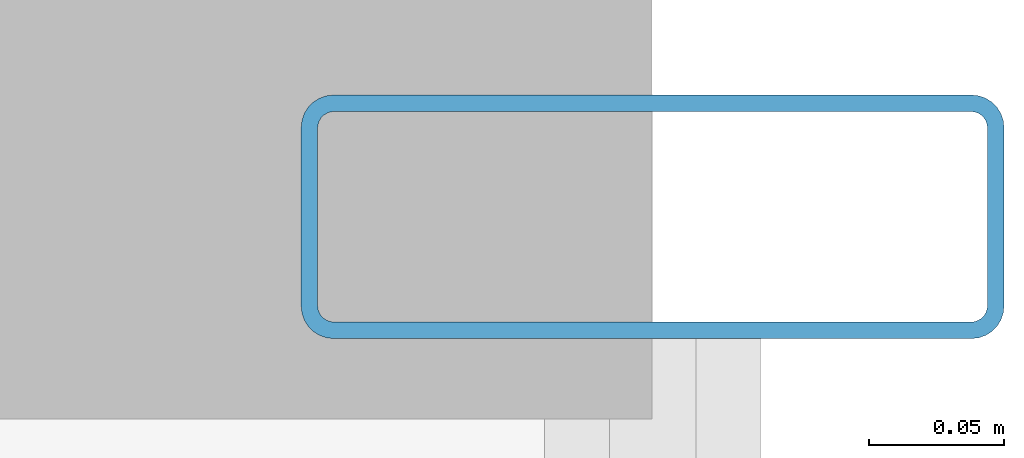
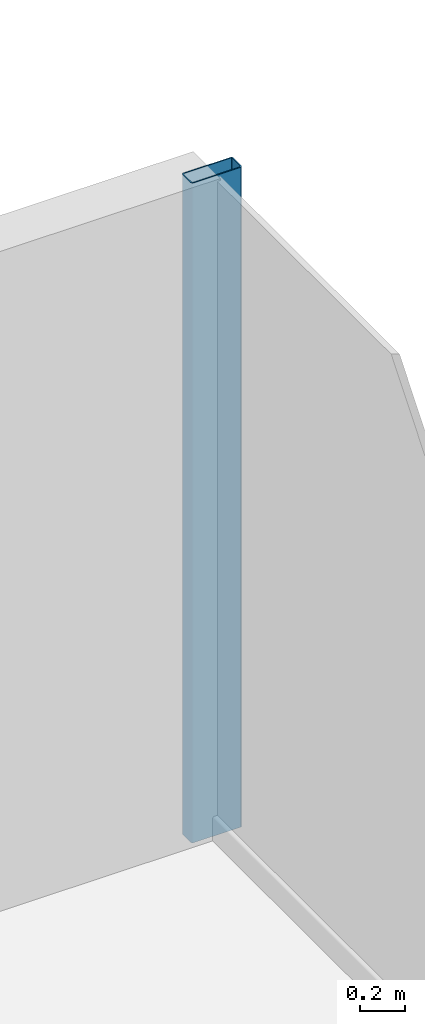
# One storey, part 18 of 26: 1 member, 1 element without a shape of its own.
"""IFC4 building model written with IfcOpenShell, lengths in metres."""

import ifcopenshell
import ifcopenshell.guid

model = None  # the IFC model being written
_history = None  # IfcOwnerHistory: only IFC2X3 demands one
_inside = {}  # id of a spatial element -> (the spatial element, [elements in it])
_under = {}  # id of a project, library or spatial element -> (it, [spatial elements below it])
_declared = {}  # id of a project -> (the project, [libraries it declares])
_typed = {}  # id of a type object -> (the type object, [elements of that type])
_made_of = {}  # id of a material, layer set ... -> (it, [elements and type objects made of it])


def new_model(schema):
    """Start an empty IFC model of exactly this schema.

    Asked for "IFC4X3", IfcOpenShell would pick the latest addendum, in which some entities
    have other attributes; the version numbers below select the first issue.
    IFC2X3 requires an IfcOwnerHistory on every rooted entity: one is made here for all.
    """
    global model, _history
    if schema == "IFC4X3":
        model = ifcopenshell.file(schema_version=(4, 3, 0, 0))
    else:
        model = ifcopenshell.file(schema=schema)
    _inside.clear()
    _under.clear()
    _declared.clear()
    _typed.clear()
    _made_of.clear()
    _history = None
    if model.schema == "IFC2X3":
        org = make("IfcOrganization", Name="unknown")
        user = make(
            "IfcPersonAndOrganization",
            ThePerson=make("IfcPerson", FamilyName="unknown"),
            TheOrganization=org,
        )
        app = make(
            "IfcApplication",
            ApplicationDeveloper=org,
            Version="unknown",
            ApplicationFullName="unknown",
            ApplicationIdentifier="unknown",
        )
        _history = make(
            "IfcOwnerHistory",
            OwningUser=user,
            OwningApplication=app,
            ChangeAction="ADDED",
            CreationDate=0,
        )
    return model


def make(cls, **values):
    """One entity of the class cls with the attributes given. An attribute that is None is left unset."""
    return model.create_entity(
        cls, **{name: value for name, value in values.items() if value is not None}
    )


def rooted(cls, **values):
    """An entity with a GlobalId (a new one), such as an element, a storey or a relation."""
    return make(cls, GlobalId=ifcopenshell.guid.new(), OwnerHistory=_history, **values)


def si_unit(unit_type, name, prefix=None):
    """IfcSIUnit, for example si_unit("LENGTHUNIT", "METRE", prefix="MILLI")."""
    return make("IfcSIUnit", UnitType=unit_type, Prefix=prefix, Name=name)


def assignment(units):
    """IfcUnitAssignment: the units of a project."""
    return None if units is None else make("IfcUnitAssignment", Units=units)


def point(xyz):
    """IfcCartesianPoint."""
    return None if xyz is None else make("IfcCartesianPoint", Coordinates=xyz)


def direction(xyz):
    """IfcDirection."""
    return None if xyz is None else make("IfcDirection", DirectionRatios=xyz)


def frame(location, z_axis=None, x_axis=None):
    """IfcAxis2Placement3D, a coordinate frame: its origin and axes. An axis left out is left unset."""
    return make(
        "IfcAxis2Placement3D",
        Location=point(location),
        Axis=direction(z_axis),
        RefDirection=direction(x_axis),
    )


def frame_2d(location, x_axis=None):
    """IfcAxis2Placement2D, a coordinate frame in the plane: its origin and x axis."""
    return make(
        "IfcAxis2Placement2D", Location=point(location), RefDirection=direction(x_axis)
    )


def origin():
    """The frame at (0, 0, 0) with its axes left unset."""
    return frame((0.0, 0.0, 0.0))


def origin_2d():
    """The frame at (0, 0) in the plane with its x axis left unset."""
    return frame_2d((0.0, 0.0))


def place(relative_to, where):
    """IfcLocalPlacement: puts the frame where relative to a parent placement (None: the world)."""
    return make(
        "IfcLocalPlacement", PlacementRelTo=relative_to, RelativePlacement=where
    )


def context(
    kind, dimensions, precision=None, world=None, true_north=None, identifier=None
):
    """IfcGeometricRepresentationContext, for example the 3D "Model" context."""
    return make(
        "IfcGeometricRepresentationContext",
        ContextIdentifier=identifier,
        ContextType=kind,
        CoordinateSpaceDimension=dimensions,
        Precision=precision,
        WorldCoordinateSystem=world,
        TrueNorth=true_north,
    )


def subcontext(parent, identifier, kind, view, scale=None):
    """IfcGeometricRepresentationSubContext, for example "Body" below "Model"."""
    return make(
        "IfcGeometricRepresentationSubContext",
        ContextIdentifier=identifier,
        ContextType=kind,
        ParentContext=parent,
        TargetScale=scale,
        TargetView=view,
    )


def project(units=None, contexts=None):
    """IfcProject with its units and contexts."""
    return rooted(
        "IfcProject",
        Name="project",
        RepresentationContexts=contexts,
        UnitsInContext=assignment(units),
    )


def spatial(cls, under=None, at=None, **own):
    """A site, building, storey or space (cls), placed at a placement, below another one or the project."""
    s = rooted(cls, ObjectPlacement=at, **own)
    if under is not None:
        _under.setdefault(under.id(), (under, []))[1].append(s)
    return s


def profile(cls, at=None, kind="AREA", **sizes):
    """A parametric profile (cls). Its sizes go by their IFC names, for example OverallWidth=200.0."""
    return make(cls, ProfileType=kind, Position=at, **sizes)


def hollow_rectangle(**sizes):
    """IfcRectangleHollowProfileDef."""
    return profile("IfcRectangleHollowProfileDef", **sizes)


def extrude(swept, where, along, depth):
    """IfcExtrudedAreaSolid: the profile swept, set in the frame where, extruded along a direction by depth."""
    return make(
        "IfcExtrudedAreaSolid",
        SweptArea=swept,
        Position=where,
        ExtrudedDirection=direction(along),
        Depth=depth,
    )


def shape(context_of_items, identifier, shape_type, items):
    """IfcShapeRepresentation: the items that make up one representation, for example the "Body"."""
    return make(
        "IfcShapeRepresentation",
        ContextOfItems=context_of_items,
        RepresentationIdentifier=identifier,
        RepresentationType=shape_type,
        Items=items,
    )


def source(mapping_origin, context_of_items, identifier, shape_type, items):
    """IfcRepresentationMap: a shape defined once, which mapped items show again and again."""
    return make(
        "IfcRepresentationMap",
        MappingOrigin=mapping_origin,
        MappedRepresentation=shape(context_of_items, identifier, shape_type, items),
    )


def transform(
    local_origin,
    x_axis=None,
    y_axis=None,
    z_axis=None,
    scale=None,
    scale2=None,
    scale3=None,
    uniform=True,
):
    """IfcCartesianTransformationOperator3D, or its non-uniform kind. x_axis, y_axis, z_axis: its Axis1, 2, 3."""
    if uniform:
        return make(
            "IfcCartesianTransformationOperator3D",
            Axis1=direction(x_axis),
            Axis2=direction(y_axis),
            LocalOrigin=point(local_origin),
            Scale=scale,
            Axis3=direction(z_axis),
        )
    return make(
        "IfcCartesianTransformationOperator3DnonUniform",
        Axis1=direction(x_axis),
        Axis2=direction(y_axis),
        LocalOrigin=point(local_origin),
        Scale=scale,
        Axis3=direction(z_axis),
        Scale2=scale2,
        Scale3=scale3,
    )


def mapped(mapping_source, mapping_target):
    """IfcMappedItem: shows the shape of a source again, moved by a transform."""
    return make(
        "IfcMappedItem", MappingSource=mapping_source, MappingTarget=mapping_target
    )


def material(Name=None, Category=None):
    """IfcMaterial."""
    return make("IfcMaterial", Name=Name, Category=Category)


def layer(
    of_material, thickness, ventilated=None, Name=None, Category=None, Priority=None
):
    """IfcMaterialLayer: one layer of a wall or slab, of a material (None: an air gap)."""
    return make(
        "IfcMaterialLayer",
        Material=of_material,
        LayerThickness=thickness,
        IsVentilated=ventilated,
        Name=Name,
        Category=Category,
        Priority=Priority,
    )


def layer_set(layers, Name=None):
    """IfcMaterialLayerSet."""
    return make("IfcMaterialLayerSet", MaterialLayers=layers, LayerSetName=Name)


def material_profile(
    of_material, cross_section, Name=None, Category=None, Priority=None
):
    """IfcMaterialProfile: a cross section and its material."""
    return make(
        "IfcMaterialProfile",
        Name=Name,
        Material=of_material,
        Profile=cross_section,
        Priority=Priority,
        Category=Category,
    )


def profile_set(profiles, Name=None, composite=None):
    """IfcMaterialProfileSet."""
    return make(
        "IfcMaterialProfileSet",
        Name=Name,
        MaterialProfiles=profiles,
        CompositeProfile=composite,
    )


def made_of(thing, what):
    """Note that an element or type object is made of a material, layer set ...; save() writes the relation."""
    if what is not None:
        _made_of.setdefault(what.id(), (what, []))[1].append(thing)
    return thing


def type_object(cls, material=None, **own):
    """A type object (cls), such as IfcWallType, which elements share."""
    return made_of(rooted(cls, **own), material)


def element(
    cls,
    number,
    at=None,
    inside=None,
    cuts=None,
    type_object=None,
    material=None,
    context=None,
    identifier="Body",
    shape_type=None,
    held_by="IfcProductDefinitionShape",
    body=None,
    shapes=None,
    **own,
):
    """One element of the class cls, such as IfcWall. Its Tag is "e" and its number.

    at: its placement. inside: the storey or other place that contains it. cuts: it is an
    opening in that element (IfcRelVoidsElement). A single representation is given by context,
    identifier, shape_type and body (its items); several are given by shapes. held_by: the class
    of the entity that holds the representations. save() writes the other relations.
    """
    e = rooted(cls, Tag="e%d" % number, ObjectPlacement=at, **own)
    if body is not None:
        shapes = [shape(context, identifier, shape_type, body)]
    if shapes is not None:
        e.Representation = make(held_by, Representations=shapes)
    if inside is not None:
        _inside.setdefault(inside.id(), (inside, []))[1].append(e)
    if cuts is not None:
        rooted(
            "IfcRelVoidsElement", RelatingBuildingElement=cuts, RelatedOpeningElement=e
        )
    if type_object is not None:
        _typed.setdefault(type_object.id(), (type_object, []))[1].append(e)
    return made_of(e, material)


def aggregate(whole, parts):
    """IfcRelAggregates: a whole, such as a stair, and the parts it consists of."""
    return rooted("IfcRelAggregates", RelatingObject=whole, RelatedObjects=parts)


def save(model, path):
    """Write the relations noted so far, then the file.

    IfcRelAggregates (storeys below a building ...), IfcRelContainedInSpatialStructure (elements
    in a storey), IfcRelDefinesByType, IfcRelAssociatesMaterial and IfcRelDeclares: one each for
    every whole, place, type object, material and project.
    """
    for whole, parts in _under.values():
        aggregate(whole, parts)
    for where, things in _inside.values():
        rooted(
            "IfcRelContainedInSpatialStructure",
            RelatedElements=things,
            RelatingStructure=where,
        )
    for kind, things in _typed.values():
        rooted("IfcRelDefinesByType", RelatedObjects=things, RelatingType=kind)
    for what, things in _made_of.values():
        rooted("IfcRelAssociatesMaterial", RelatedObjects=things, RelatingMaterial=what)
    for by, libraries in _declared.values():
        rooted("IfcRelDeclares", RelatingContext=by, RelatedDefinitions=libraries)
    model.write(path)


model = new_model("IFC4")

# Units and contexts
model_context = context("Model", 3, precision=1e-05, world=origin(), true_north=direction((0.0, 1.0)))
body_context = subcontext(model_context, "Body", "Model", "MODEL_VIEW")
ifc_project = project(units=[si_unit("LENGTHUNIT", "METRE"), si_unit("AREAUNIT", "SQUARE_METRE"), si_unit("VOLUMEUNIT", "CUBIC_METRE"), si_unit("PLANEANGLEUNIT", "RADIAN"), si_unit("MASSUNIT", "GRAM", prefix="KILO")], contexts=[model_context])

# Site, building, storey
site_placement = place(None, origin())
site = spatial("IfcSite", under=ifc_project, at=site_placement, CompositionType="ELEMENT")
building_placement = place(site_placement, origin())
building = spatial("IfcBuilding", under=site, at=building_placement, Name="Nefas-Gora Pilgrimage Tower", CompositionType="ELEMENT")
storey_placement = place(building_placement, frame((0.0, 0.0, 128.800048828125)))
storey = spatial("IfcBuildingStorey", under=building, at=storey_placement, Name="L31", CompositionType="ELEMENT", Elevation=128.800048828125)

# Curtain wall, member
ifc_material_1 = material(Name="Dark ceramic-fritted solar-control aluminium-glass curtain wall", Category="aluminium")
ifc_layer = layer(ifc_material_1, 0.219970703125)
ifc_layer_set = layer_set([ifc_layer], Name="Dark ceramic-fritted solar-control aluminium-glass curtain wall")
curtain_wall_type = type_object("IfcCurtainWallType", Name="CW-SYS-2", PredefinedType="NOTDEFINED", material=ifc_layer_set)
curtain_wall_placement = place(storey_placement, origin())
curtain_wall = element("IfcCurtainWall", 1, at=curtain_wall_placement, inside=storey, type_object=curtain_wall_type, Name="L31 Unitised Curtain Wall CW2", PredefinedType="NOTDEFINED")
ifc_material_2 = material(Name="Anodised architectural aluminium", Category="aluminium")
ifc_material_profile = material_profile(ifc_material_2, hollow_rectangle(XDim=0.090087890625, YDim=0.260009765625, WallThickness=0.006103515625, InnerFilletRadius=0.006103515625, OuterFilletRadius=0.011962890625, at=origin_2d()), Name="ALU MULLION 90x260")
ifc_profile_set = profile_set([ifc_material_profile], Name="Anodised architectural aluminium")
member_type = type_object("IfcMemberType", Name="CWM-MUL-2", PredefinedType="MULLION", material=ifc_profile_set)
shared_shape = source(origin(), body_context, "Body", "SweptSolid", [
    extrude(hollow_rectangle(XDim=0.090087890625, YDim=0.260009765625, WallThickness=0.006103515625, InnerFilletRadius=0.006103515625, OuterFilletRadius=0.011962890625, at=origin_2d()), origin(), (0.0, 0.0, 1.0), 3.550048828125),
])
member_placement = place(storey_placement, frame((34.27001953125, 17.574951171875, 0.0), z_axis=(0.0, 0.0, 1.0), x_axis=(0.0, 1.0, 0.0)))
member = element("IfcMember", 2, at=member_placement, type_object=member_type, Name="CW2 Mullion 2", PredefinedType="MULLION", context=body_context, shape_type="MappedRepresentation", body=[
    mapped(shared_shape, transform((0.0, 0.0, 0.0), x_axis=(1.0, 0.0, 0.0), y_axis=(0.0, 1.0, 0.0), z_axis=(0.0, 0.0, 1.0), scale=1.0)),
])
aggregate(curtain_wall, [member])

save(model, "model.ifc")
